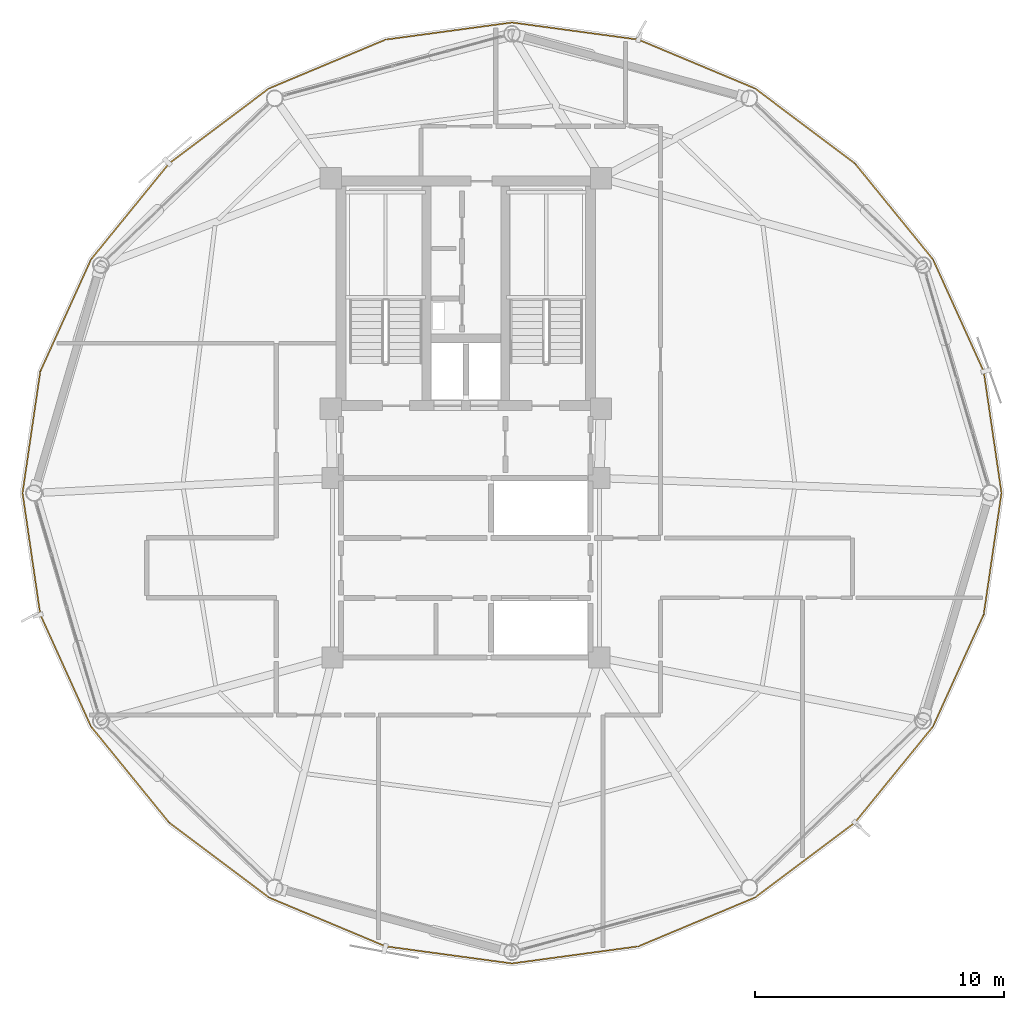
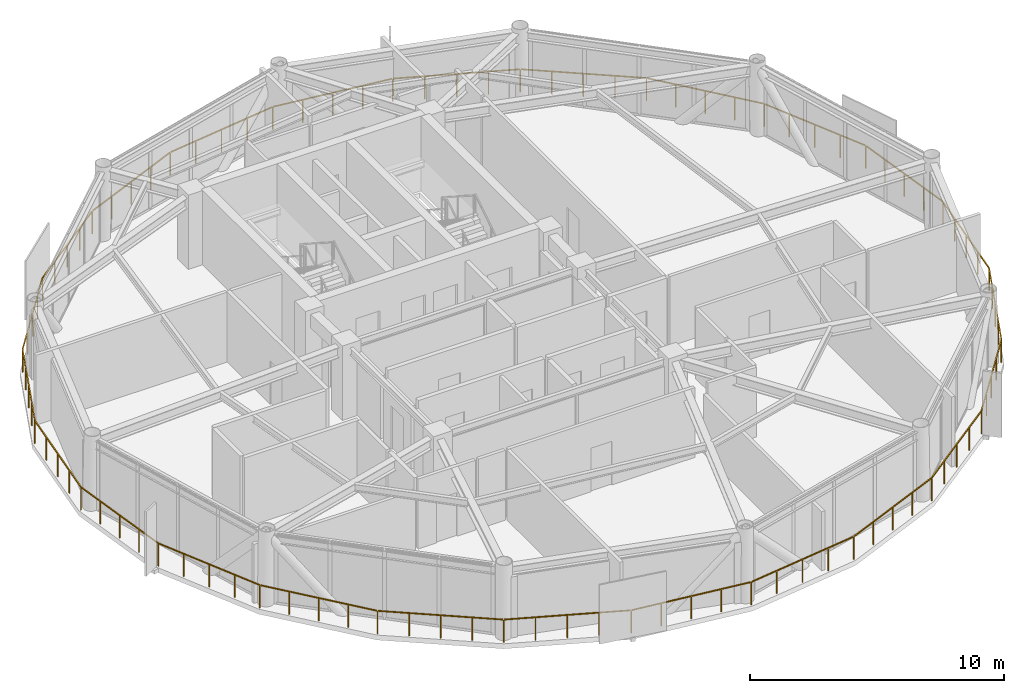
# One storey, part 27 of 28: 1 railing.
"""IFC4 building model written with IfcOpenShell, lengths in metres."""

from ifc_helpers import new_model, si_unit, direction, frame, origin, origin_2d, place, context, subcontext, project, spatial, rectangle, extrude, material, type_object, element, save


model = new_model("IFC4")

# Units and contexts
model_context = context("Model", 3, precision=1e-05, world=origin(), true_north=direction((0.0, 1.0)))
body_context = subcontext(model_context, "Body", "Model", "MODEL_VIEW")
ifc_project = project(units=[si_unit("LENGTHUNIT", "METRE"), si_unit("AREAUNIT", "SQUARE_METRE"), si_unit("VOLUMEUNIT", "CUBIC_METRE"), si_unit("PLANEANGLEUNIT", "RADIAN"), si_unit("MASSUNIT", "GRAM", prefix="KILO")], contexts=[model_context])

# Site, building, storey
site_placement = place(None, origin())
site = spatial("IfcSite", under=ifc_project, at=site_placement, CompositionType="ELEMENT")
building_placement = place(site_placement, origin())
building = spatial("IfcBuilding", under=site, at=building_placement, Name="Varnakorn Sky Granary", CompositionType="ELEMENT")
storey_placement = place(building_placement, frame((0.0, 0.0, 211.199951171875)))
storey = spatial("IfcBuildingStorey", under=building, at=storey_placement, Name="L53", CompositionType="ELEMENT", Elevation=211.199951171875)

# Railing
ifc_material = material(Name="Anodised Bronze Aluminium Alloy 6063-T6", Category="aluminium")
railing_type = type_object("IfcRailingType", Name="RL-BAL-1120", PredefinedType="BALUSTRADE", material=ifc_material)
railing_placement = place(storey_placement, frame((24.471923828125, 0.0, 0.0)))
element("IfcRailing", 1, at=railing_placement, inside=storey, type_object=railing_type, Name="Perimeter Slab-Edge Safety Guard L53", PredefinedType="BALUSTRADE", context=body_context, shape_type="SweptSolid", body=[
    extrude(rectangle(XDim=0.048095703125, YDim=0.048095703125, at=origin_2d()), frame((-0.004150390625, -0.027587890625, 1.09619140625), z_axis=(-0.144623779519, -0.989486716635, 0.0), x_axis=(0.989486716635, -0.144623779519, 0.0)), (0.0, 0.0, 1.0), 4.863037109375),
    extrude(rectangle(XDim=0.048095703125, YDim=0.048095703125, at=origin_2d()), frame((-0.722900390625, -4.892822265625, 1.09619140625), z_axis=(-0.412220710952, -0.911084016687, 0.0), x_axis=(0.911084016687, -0.412220710952, 0.0)), (0.0, 0.0, 1.0), 4.875244140625),
    extrude(rectangle(XDim=0.048095703125, YDim=0.048095703125, at=origin_2d()), frame((-2.76171875, -9.3818359375, 1.09619140625), z_axis=(-0.630913219009, -0.775853407597, 0.0), x_axis=(0.775853407597, -0.630913219009, 0.0)), (0.0, 0.0, 1.0), 4.90283203125),
    extrude(rectangle(XDim=0.048095703125, YDim=0.048095703125, at=origin_2d()), frame((-5.895263671875, -13.224365234375, 1.09619140625), z_axis=(-0.799526029654, -0.600631440991, 0.0), x_axis=(0.600631440991, -0.799526029654, 0.0)), (0.0, 0.0, 1.0), 4.953369140625),
    extrude(rectangle(XDim=0.048095703125, YDim=0.048095703125, at=origin_2d()), frame((-9.90380859375, -16.22705078125, 1.09619140625), z_axis=(-0.922441785943, -0.386136182643, 0.0), x_axis=(0.386136182643, -0.922441785943, 0.0)), (0.0, 0.0, 1.0), 5.0146484375),
    extrude(rectangle(XDim=0.048095703125, YDim=0.048095703125, at=origin_2d()), frame((-14.583251953125, -18.177978515625, 1.09619140625), z_axis=(-0.990962774851, -0.134137164348, 0.0), x_axis=(0.134137164348, -0.990962774851, 0.0)), (0.0, 0.0, 1.0), 5.056640625),
    extrude(rectangle(XDim=0.048095703125, YDim=0.048095703125, at=origin_2d()), frame((-19.649658203125, -18.8564453125, 1.09619140625), z_axis=(-0.990963633993, 0.134130817129, 0.0), x_axis=(-0.134130817129, -0.990963633993, 0.0)), (0.0, 0.0, 1.0), 5.056884765625),
    extrude(rectangle(XDim=0.048095703125, YDim=0.048095703125, at=origin_2d()), frame((-24.71435546875, -18.16357421875, 1.09619140625), z_axis=(-0.922434606743, 0.386153332607, 0.0), x_axis=(-0.386153332607, -0.922434606743, 0.0)), (0.0, 0.0, 1.0), 5.0146484375),
    extrude(rectangle(XDim=0.048095703125, YDim=0.048095703125, at=origin_2d()), frame((-29.38818359375, -16.199462890625, 1.09619140625), z_axis=(-0.799543610797, 0.600608037271, 0.0), x_axis=(-0.600608037271, -0.799543610797, 0.0)), (0.0, 0.0, 1.0), 4.95361328125),
    extrude(rectangle(XDim=0.048095703125, YDim=0.048095703125, at=origin_2d()), frame((-33.388671875, -13.185791015625, 1.09619140625), z_axis=(-0.630913219009, 0.775853407597, 0.0), x_axis=(-0.775853407597, -0.630913219009, 0.0)), (0.0, 0.0, 1.0), 4.90283203125),
    extrude(rectangle(XDim=0.048095703125, YDim=0.048095703125, at=origin_2d()), frame((-36.51123046875, -9.334716796875, 1.09619140625), z_axis=(-0.412220710952, 0.911084016687, 0.0), x_axis=(-0.911084016687, -0.412220710952, 0.0)), (0.0, 0.0, 1.0), 4.875244140625),
    extrude(rectangle(XDim=0.048095703125, YDim=0.048095703125, at=origin_2d()), frame((-38.53662109375, -4.83984375, 1.09619140625), z_axis=(-0.144623779519, 0.989486716635, 0.0), x_axis=(-0.989486716635, -0.144623779519, 0.0)), (0.0, 0.0, 1.0), 4.863037109375),
    extrude(rectangle(XDim=0.048095703125, YDim=0.048095703125, at=origin_2d()), frame((-39.23974609375, 0.027587890625, 1.09619140625), z_axis=(0.144623779519, 0.989486716635, 0.0), x_axis=(-0.989486716635, 0.144623779519, 0.0)), (0.0, 0.0, 1.0), 4.863037109375),
    extrude(rectangle(XDim=0.048095703125, YDim=0.048095703125, at=origin_2d()), frame((-38.52099609375, 4.892822265625, 1.09619140625), z_axis=(0.412220710952, 0.911084016687, 0.0), x_axis=(-0.911084016687, 0.412220710952, 0.0)), (0.0, 0.0, 1.0), 4.875244140625),
    extrude(rectangle(XDim=0.048095703125, YDim=0.048095703125, at=origin_2d()), frame((-36.482177734375, 9.3818359375, 1.09619140625), z_axis=(0.630913219009, 0.775853407597, 0.0), x_axis=(-0.775853407597, 0.630913219009, 0.0)), (0.0, 0.0, 1.0), 4.90283203125),
    extrude(rectangle(XDim=0.048095703125, YDim=0.048095703125, at=origin_2d()), frame((-33.3486328125, 13.224365234375, 1.09619140625), z_axis=(0.799543610797, 0.600608037271, 0.0), x_axis=(-0.600608037271, 0.799543610797, 0.0)), (0.0, 0.0, 1.0), 4.95361328125),
    extrude(rectangle(XDim=0.048095703125, YDim=0.048095703125, at=origin_2d()), frame((-29.33984375, 16.22705078125, 1.09619140625), z_axis=(0.922434606743, 0.386153332607, 0.0), x_axis=(-0.386153332607, 0.922434606743, 0.0)), (0.0, 0.0, 1.0), 5.0146484375),
    extrude(rectangle(XDim=0.048095703125, YDim=0.048095703125, at=origin_2d()), frame((-24.66064453125, 18.177978515625, 1.09619140625), z_axis=(0.990963633993, 0.134130817129, 0.0), x_axis=(-0.134130817129, 0.990963633993, 0.0)), (0.0, 0.0, 1.0), 5.056884765625),
    extrude(rectangle(XDim=0.048095703125, YDim=0.048095703125, at=origin_2d()), frame((-19.593994140625, 18.8564453125, 1.09619140625), z_axis=(0.990962774851, -0.134137164348, 0.0), x_axis=(0.134137164348, 0.990962774851, 0.0)), (0.0, 0.0, 1.0), 5.056640625),
    extrude(rectangle(XDim=0.048095703125, YDim=0.048095703125, at=origin_2d()), frame((-14.529541015625, 18.16357421875, 1.09619140625), z_axis=(0.922441785943, -0.386136182643, 0.0), x_axis=(0.386136182643, 0.922441785943, 0.0)), (0.0, 0.0, 1.0), 5.0146484375),
    extrude(rectangle(XDim=0.048095703125, YDim=0.048095703125, at=origin_2d()), frame((-9.85546875, 16.199462890625, 1.09619140625), z_axis=(0.799526029654, -0.600631440991, 0.0), x_axis=(0.600631440991, 0.799526029654, 0.0)), (0.0, 0.0, 1.0), 4.953369140625),
    extrude(rectangle(XDim=0.048095703125, YDim=0.048095703125, at=origin_2d()), frame((-5.855224609375, 13.185791015625, 1.09619140625), z_axis=(0.630913219009, -0.775853407597, 0.0), x_axis=(0.775853407597, 0.630913219009, 0.0)), (0.0, 0.0, 1.0), 4.90283203125),
    extrude(rectangle(XDim=0.048095703125, YDim=0.048095703125, at=origin_2d()), frame((-2.732666015625, 9.334716796875, 1.09619140625), z_axis=(0.412220710952, -0.911084016687, 0.0), x_axis=(0.911084016687, 0.412220710952, 0.0)), (0.0, 0.0, 1.0), 4.875244140625),
    extrude(rectangle(XDim=0.048095703125, YDim=0.048095703125, at=origin_2d()), frame((-0.707275390625, 4.83984375, 1.09619140625), z_axis=(0.144623779519, -0.989486716635, 0.0), x_axis=(0.989486716635, 0.144623779519, 0.0)), (0.0, 0.0, 1.0), 4.863037109375),
    extrude(rectangle(XDim=0.0419921875, YDim=0.0419921875, at=origin_2d()), origin(), (0.0, 0.0, 1.0), 1.068115234375),
    extrude(rectangle(XDim=0.0419921875, YDim=0.0419921875, at=origin_2d()), frame((-0.177734375, -1.216796875, 0.0)), (0.0, 0.0, 1.0), 1.068115234375),
    extrude(rectangle(XDim=0.0419921875, YDim=0.0419921875, at=origin_2d()), frame((-0.355712890625, -2.43359375, 0.0)), (0.0, 0.0, 1.0), 1.068115234375),
    extrude(rectangle(XDim=0.0419921875, YDim=0.0419921875, at=origin_2d()), frame((-0.53369140625, -3.650634765625, 0.0)), (0.0, 0.0, 1.0), 1.068115234375),
    extrude(rectangle(XDim=0.0419921875, YDim=0.0419921875, at=origin_2d()), frame((-0.71142578125, -4.867431640625, 0.0)), (0.0, 0.0, 1.0), 1.068115234375),
    extrude(rectangle(XDim=0.0419921875, YDim=0.0419921875, at=origin_2d()), frame((-1.2197265625, -5.99072265625, 0.0)), (0.0, 0.0, 1.0), 1.068115234375),
    extrude(rectangle(XDim=0.0419921875, YDim=0.0419921875, at=origin_2d()), frame((-1.727783203125, -7.11376953125, 0.0)), (0.0, 0.0, 1.0), 1.068115234375),
    extrude(rectangle(XDim=0.0419921875, YDim=0.0419921875, at=origin_2d()), frame((-2.23583984375, -8.23681640625, 0.0)), (0.0, 0.0, 1.0), 1.068115234375),
    extrude(rectangle(XDim=0.0419921875, YDim=0.0419921875, at=origin_2d()), frame((-2.744140625, -9.360107421875, 0.0)), (0.0, 0.0, 1.0), 1.068115234375),
    extrude(rectangle(XDim=0.0419921875, YDim=0.0419921875, at=origin_2d()), frame((-3.5263671875, -10.322021484375, 0.0)), (0.0, 0.0, 1.0), 1.068115234375),
    extrude(rectangle(XDim=0.0419921875, YDim=0.0419921875, at=origin_2d()), frame((-4.30859375, -11.28369140625, 0.0)), (0.0, 0.0, 1.0), 1.068115234375),
    extrude(rectangle(XDim=0.0419921875, YDim=0.0419921875, at=origin_2d()), frame((-5.090576171875, -12.24560546875, 0.0)), (0.0, 0.0, 1.0), 1.068115234375),
    extrude(rectangle(XDim=0.0419921875, YDim=0.0419921875, at=origin_2d()), frame((-5.872802734375, -13.20751953125, 0.0)), (0.0, 0.0, 1.0), 1.068115234375),
    extrude(rectangle(XDim=0.0419921875, YDim=0.0419921875, at=origin_2d()), frame((-6.8740234375, -13.959716796875, 0.0)), (0.0, 0.0, 1.0), 1.068115234375),
    extrude(rectangle(XDim=0.0419921875, YDim=0.0419921875, at=origin_2d()), frame((-7.87548828125, -14.7119140625, 0.0)), (0.0, 0.0, 1.0), 1.068115234375),
    extrude(rectangle(XDim=0.0419921875, YDim=0.0419921875, at=origin_2d()), frame((-8.876708984375, -15.464111328125, 0.0)), (0.0, 0.0, 1.0), 1.068115234375),
    extrude(rectangle(XDim=0.0419921875, YDim=0.0419921875, at=origin_2d()), frame((-9.8779296875, -16.21630859375, 0.0)), (0.0, 0.0, 1.0), 1.068115234375),
    extrude(rectangle(XDim=0.0419921875, YDim=0.0419921875, at=origin_2d()), frame((-11.04736328125, -16.705810546875, 0.0)), (0.0, 0.0, 1.0), 1.068115234375),
    extrude(rectangle(XDim=0.0419921875, YDim=0.0419921875, at=origin_2d()), frame((-12.216796875, -17.1953125, 0.0)), (0.0, 0.0, 1.0), 1.068115234375),
    extrude(rectangle(XDim=0.0419921875, YDim=0.0419921875, at=origin_2d()), frame((-13.385986328125, -17.684814453125, 0.0)), (0.0, 0.0, 1.0), 1.068115234375),
    extrude(rectangle(XDim=0.0419921875, YDim=0.0419921875, at=origin_2d()), frame((-14.555419921875, -18.17431640625, 0.0)), (0.0, 0.0, 1.0), 1.068115234375),
    extrude(rectangle(XDim=0.0419921875, YDim=0.0419921875, at=origin_2d()), frame((-15.822021484375, -18.345703125, 0.0)), (0.0, 0.0, 1.0), 1.068115234375),
    extrude(rectangle(XDim=0.0419921875, YDim=0.0419921875, at=origin_2d()), frame((-17.088623046875, -18.51708984375, 0.0)), (0.0, 0.0, 1.0), 1.068115234375),
    extrude(rectangle(XDim=0.0419921875, YDim=0.0419921875, at=origin_2d()), frame((-18.355224609375, -18.688720703125, 0.0)), (0.0, 0.0, 1.0), 1.068115234375),
    extrude(rectangle(XDim=0.0419921875, YDim=0.0419921875, at=origin_2d()), frame((-19.621826171875, -18.860107421875, 0.0)), (0.0, 0.0, 1.0), 1.068115234375),
    extrude(rectangle(XDim=0.0419921875, YDim=0.0419921875, at=origin_2d()), frame((-20.888427734375, -18.688720703125, 0.0)), (0.0, 0.0, 1.0), 1.068115234375),
    extrude(rectangle(XDim=0.0419921875, YDim=0.0419921875, at=origin_2d()), frame((-22.1552734375, -18.51708984375, 0.0)), (0.0, 0.0, 1.0), 1.068115234375),
    extrude(rectangle(XDim=0.0419921875, YDim=0.0419921875, at=origin_2d()), frame((-23.421875, -18.345703125, 0.0)), (0.0, 0.0, 1.0), 1.068115234375),
    extrude(rectangle(XDim=0.0419921875, YDim=0.0419921875, at=origin_2d()), frame((-24.6884765625, -18.17431640625, 0.0)), (0.0, 0.0, 1.0), 1.068115234375),
    extrude(rectangle(XDim=0.0419921875, YDim=0.0419921875, at=origin_2d()), frame((-25.85791015625, -17.684814453125, 0.0)), (0.0, 0.0, 1.0), 1.068115234375),
    extrude(rectangle(XDim=0.0419921875, YDim=0.0419921875, at=origin_2d()), frame((-27.027099609375, -17.1953125, 0.0)), (0.0, 0.0, 1.0), 1.068115234375),
    extrude(rectangle(XDim=0.0419921875, YDim=0.0419921875, at=origin_2d()), frame((-28.1962890625, -16.705810546875, 0.0)), (0.0, 0.0, 1.0), 1.068115234375),
    extrude(rectangle(XDim=0.0419921875, YDim=0.0419921875, at=origin_2d()), frame((-29.36572265625, -16.21630859375, 0.0)), (0.0, 0.0, 1.0), 1.068115234375),
    extrude(rectangle(XDim=0.0419921875, YDim=0.0419921875, at=origin_2d()), frame((-30.3671875, -15.464111328125, 0.0)), (0.0, 0.0, 1.0), 1.068115234375),
    extrude(rectangle(XDim=0.0419921875, YDim=0.0419921875, at=origin_2d()), frame((-31.368408203125, -14.7119140625, 0.0)), (0.0, 0.0, 1.0), 1.068115234375),
    extrude(rectangle(XDim=0.0419921875, YDim=0.0419921875, at=origin_2d()), frame((-32.36962890625, -13.959716796875, 0.0)), (0.0, 0.0, 1.0), 1.068115234375),
    extrude(rectangle(XDim=0.0419921875, YDim=0.0419921875, at=origin_2d()), frame((-33.37109375, -13.20751953125, 0.0)), (0.0, 0.0, 1.0), 1.068115234375),
    extrude(rectangle(XDim=0.0419921875, YDim=0.0419921875, at=origin_2d()), frame((-34.1533203125, -12.24560546875, 0.0)), (0.0, 0.0, 1.0), 1.068115234375),
    extrude(rectangle(XDim=0.0419921875, YDim=0.0419921875, at=origin_2d()), frame((-34.935546875, -11.28369140625, 0.0)), (0.0, 0.0, 1.0), 1.068115234375),
    extrude(rectangle(XDim=0.0419921875, YDim=0.0419921875, at=origin_2d()), frame((-35.717529296875, -10.322021484375, 0.0)), (0.0, 0.0, 1.0), 1.068115234375),
    extrude(rectangle(XDim=0.0419921875, YDim=0.0419921875, at=origin_2d()), frame((-36.499755859375, -9.360107421875, 0.0)), (0.0, 0.0, 1.0), 1.068115234375),
    extrude(rectangle(XDim=0.0419921875, YDim=0.0419921875, at=origin_2d()), frame((-37.0078125, -8.23681640625, 0.0)), (0.0, 0.0, 1.0), 1.068115234375),
    extrude(rectangle(XDim=0.0419921875, YDim=0.0419921875, at=origin_2d()), frame((-37.51611328125, -7.11376953125, 0.0)), (0.0, 0.0, 1.0), 1.068115234375),
    extrude(rectangle(XDim=0.0419921875, YDim=0.0419921875, at=origin_2d()), frame((-38.0244140625, -5.99072265625, 0.0)), (0.0, 0.0, 1.0), 1.068115234375),
    extrude(rectangle(XDim=0.0419921875, YDim=0.0419921875, at=origin_2d()), frame((-38.532470703125, -4.867431640625, 0.0)), (0.0, 0.0, 1.0), 1.068115234375),
    extrude(rectangle(XDim=0.0419921875, YDim=0.0419921875, at=origin_2d()), frame((-38.71044921875, -3.650634765625, 0.0)), (0.0, 0.0, 1.0), 1.068115234375),
    extrude(rectangle(XDim=0.0419921875, YDim=0.0419921875, at=origin_2d()), frame((-38.88818359375, -2.43359375, 0.0)), (0.0, 0.0, 1.0), 1.068115234375),
    extrude(rectangle(XDim=0.0419921875, YDim=0.0419921875, at=origin_2d()), frame((-39.06591796875, -1.216796875, 0.0)), (0.0, 0.0, 1.0), 1.068115234375),
    extrude(rectangle(XDim=0.0419921875, YDim=0.0419921875, at=origin_2d()), frame((-39.243896484375, 0.0, 0.0)), (0.0, 0.0, 1.0), 1.068115234375),
    extrude(rectangle(XDim=0.0419921875, YDim=0.0419921875, at=origin_2d()), frame((-39.06591796875, 1.216796875, 0.0)), (0.0, 0.0, 1.0), 1.068115234375),
    extrude(rectangle(XDim=0.0419921875, YDim=0.0419921875, at=origin_2d()), frame((-38.88818359375, 2.43359375, 0.0)), (0.0, 0.0, 1.0), 1.068115234375),
    extrude(rectangle(XDim=0.0419921875, YDim=0.0419921875, at=origin_2d()), frame((-38.71044921875, 3.650634765625, 0.0)), (0.0, 0.0, 1.0), 1.068115234375),
    extrude(rectangle(XDim=0.0419921875, YDim=0.0419921875, at=origin_2d()), frame((-38.532470703125, 4.867431640625, 0.0)), (0.0, 0.0, 1.0), 1.068115234375),
    extrude(rectangle(XDim=0.0419921875, YDim=0.0419921875, at=origin_2d()), frame((-38.0244140625, 5.99072265625, 0.0)), (0.0, 0.0, 1.0), 1.068115234375),
    extrude(rectangle(XDim=0.0419921875, YDim=0.0419921875, at=origin_2d()), frame((-37.51611328125, 7.11376953125, 0.0)), (0.0, 0.0, 1.0), 1.068115234375),
    extrude(rectangle(XDim=0.0419921875, YDim=0.0419921875, at=origin_2d()), frame((-37.0078125, 8.23681640625, 0.0)), (0.0, 0.0, 1.0), 1.068115234375),
    extrude(rectangle(XDim=0.0419921875, YDim=0.0419921875, at=origin_2d()), frame((-36.499755859375, 9.360107421875, 0.0)), (0.0, 0.0, 1.0), 1.068115234375),
    extrude(rectangle(XDim=0.0419921875, YDim=0.0419921875, at=origin_2d()), frame((-35.717529296875, 10.322021484375, 0.0)), (0.0, 0.0, 1.0), 1.068115234375),
    extrude(rectangle(XDim=0.0419921875, YDim=0.0419921875, at=origin_2d()), frame((-34.935546875, 11.28369140625, 0.0)), (0.0, 0.0, 1.0), 1.068115234375),
    extrude(rectangle(XDim=0.0419921875, YDim=0.0419921875, at=origin_2d()), frame((-34.1533203125, 12.24560546875, 0.0)), (0.0, 0.0, 1.0), 1.068115234375),
    extrude(rectangle(XDim=0.0419921875, YDim=0.0419921875, at=origin_2d()), frame((-33.37109375, 13.20751953125, 0.0)), (0.0, 0.0, 1.0), 1.068115234375),
    extrude(rectangle(XDim=0.0419921875, YDim=0.0419921875, at=origin_2d()), frame((-32.36962890625, 13.959716796875, 0.0)), (0.0, 0.0, 1.0), 1.068115234375),
    extrude(rectangle(XDim=0.0419921875, YDim=0.0419921875, at=origin_2d()), frame((-31.368408203125, 14.7119140625, 0.0)), (0.0, 0.0, 1.0), 1.068115234375),
    extrude(rectangle(XDim=0.0419921875, YDim=0.0419921875, at=origin_2d()), frame((-30.3671875, 15.464111328125, 0.0)), (0.0, 0.0, 1.0), 1.068115234375),
    extrude(rectangle(XDim=0.0419921875, YDim=0.0419921875, at=origin_2d()), frame((-29.36572265625, 16.21630859375, 0.0)), (0.0, 0.0, 1.0), 1.068115234375),
    extrude(rectangle(XDim=0.0419921875, YDim=0.0419921875, at=origin_2d()), frame((-28.1962890625, 16.705810546875, 0.0)), (0.0, 0.0, 1.0), 1.068115234375),
    extrude(rectangle(XDim=0.0419921875, YDim=0.0419921875, at=origin_2d()), frame((-27.027099609375, 17.1953125, 0.0)), (0.0, 0.0, 1.0), 1.068115234375),
    extrude(rectangle(XDim=0.0419921875, YDim=0.0419921875, at=origin_2d()), frame((-25.85791015625, 17.684814453125, 0.0)), (0.0, 0.0, 1.0), 1.068115234375),
    extrude(rectangle(XDim=0.0419921875, YDim=0.0419921875, at=origin_2d()), frame((-24.6884765625, 18.17431640625, 0.0)), (0.0, 0.0, 1.0), 1.068115234375),
    extrude(rectangle(XDim=0.0419921875, YDim=0.0419921875, at=origin_2d()), frame((-23.421875, 18.345703125, 0.0)), (0.0, 0.0, 1.0), 1.068115234375),
    extrude(rectangle(XDim=0.0419921875, YDim=0.0419921875, at=origin_2d()), frame((-22.1552734375, 18.51708984375, 0.0)), (0.0, 0.0, 1.0), 1.068115234375),
    extrude(rectangle(XDim=0.0419921875, YDim=0.0419921875, at=origin_2d()), frame((-20.888427734375, 18.688720703125, 0.0)), (0.0, 0.0, 1.0), 1.068115234375),
    extrude(rectangle(XDim=0.0419921875, YDim=0.0419921875, at=origin_2d()), frame((-19.621826171875, 18.860107421875, 0.0)), (0.0, 0.0, 1.0), 1.068115234375),
    extrude(rectangle(XDim=0.0419921875, YDim=0.0419921875, at=origin_2d()), frame((-18.355224609375, 18.688720703125, 0.0)), (0.0, 0.0, 1.0), 1.068115234375),
    extrude(rectangle(XDim=0.0419921875, YDim=0.0419921875, at=origin_2d()), frame((-17.088623046875, 18.51708984375, 0.0)), (0.0, 0.0, 1.0), 1.068115234375),
    extrude(rectangle(XDim=0.0419921875, YDim=0.0419921875, at=origin_2d()), frame((-15.822021484375, 18.345703125, 0.0)), (0.0, 0.0, 1.0), 1.068115234375),
    extrude(rectangle(XDim=0.0419921875, YDim=0.0419921875, at=origin_2d()), frame((-14.555419921875, 18.17431640625, 0.0)), (0.0, 0.0, 1.0), 1.068115234375),
    extrude(rectangle(XDim=0.0419921875, YDim=0.0419921875, at=origin_2d()), frame((-13.385986328125, 17.684814453125, 0.0)), (0.0, 0.0, 1.0), 1.068115234375),
    extrude(rectangle(XDim=0.0419921875, YDim=0.0419921875, at=origin_2d()), frame((-12.216796875, 17.1953125, 0.0)), (0.0, 0.0, 1.0), 1.068115234375),
    extrude(rectangle(XDim=0.0419921875, YDim=0.0419921875, at=origin_2d()), frame((-11.04736328125, 16.705810546875, 0.0)), (0.0, 0.0, 1.0), 1.068115234375),
    extrude(rectangle(XDim=0.0419921875, YDim=0.0419921875, at=origin_2d()), frame((-9.8779296875, 16.21630859375, 0.0)), (0.0, 0.0, 1.0), 1.068115234375),
    extrude(rectangle(XDim=0.0419921875, YDim=0.0419921875, at=origin_2d()), frame((-8.876708984375, 15.464111328125, 0.0)), (0.0, 0.0, 1.0), 1.068115234375),
    extrude(rectangle(XDim=0.0419921875, YDim=0.0419921875, at=origin_2d()), frame((-7.87548828125, 14.7119140625, 0.0)), (0.0, 0.0, 1.0), 1.068115234375),
    extrude(rectangle(XDim=0.0419921875, YDim=0.0419921875, at=origin_2d()), frame((-6.8740234375, 13.959716796875, 0.0)), (0.0, 0.0, 1.0), 1.068115234375),
    extrude(rectangle(XDim=0.0419921875, YDim=0.0419921875, at=origin_2d()), frame((-5.872802734375, 13.20751953125, 0.0)), (0.0, 0.0, 1.0), 1.068115234375),
    extrude(rectangle(XDim=0.0419921875, YDim=0.0419921875, at=origin_2d()), frame((-5.090576171875, 12.24560546875, 0.0)), (0.0, 0.0, 1.0), 1.068115234375),
    extrude(rectangle(XDim=0.0419921875, YDim=0.0419921875, at=origin_2d()), frame((-4.30859375, 11.28369140625, 0.0)), (0.0, 0.0, 1.0), 1.068115234375),
    extrude(rectangle(XDim=0.0419921875, YDim=0.0419921875, at=origin_2d()), frame((-3.5263671875, 10.322021484375, 0.0)), (0.0, 0.0, 1.0), 1.068115234375),
    extrude(rectangle(XDim=0.0419921875, YDim=0.0419921875, at=origin_2d()), frame((-2.744140625, 9.360107421875, 0.0)), (0.0, 0.0, 1.0), 1.068115234375),
    extrude(rectangle(XDim=0.0419921875, YDim=0.0419921875, at=origin_2d()), frame((-2.23583984375, 8.23681640625, 0.0)), (0.0, 0.0, 1.0), 1.068115234375),
    extrude(rectangle(XDim=0.0419921875, YDim=0.0419921875, at=origin_2d()), frame((-1.727783203125, 7.11376953125, 0.0)), (0.0, 0.0, 1.0), 1.068115234375),
    extrude(rectangle(XDim=0.0419921875, YDim=0.0419921875, at=origin_2d()), frame((-1.2197265625, 5.99072265625, 0.0)), (0.0, 0.0, 1.0), 1.068115234375),
    extrude(rectangle(XDim=0.0419921875, YDim=0.0419921875, at=origin_2d()), frame((-0.71142578125, 4.867431640625, 0.0)), (0.0, 0.0, 1.0), 1.068115234375),
    extrude(rectangle(XDim=0.0419921875, YDim=0.0419921875, at=origin_2d()), frame((-0.53369140625, 3.650634765625, 0.0)), (0.0, 0.0, 1.0), 1.068115234375),
    extrude(rectangle(XDim=0.0419921875, YDim=0.0419921875, at=origin_2d()), frame((-0.355712890625, 2.43359375, 0.0)), (0.0, 0.0, 1.0), 1.068115234375),
    extrude(rectangle(XDim=0.0419921875, YDim=0.0419921875, at=origin_2d()), frame((-0.177734375, 1.216796875, 0.0)), (0.0, 0.0, 1.0), 1.068115234375),
])

save(model, "model.ifc")
